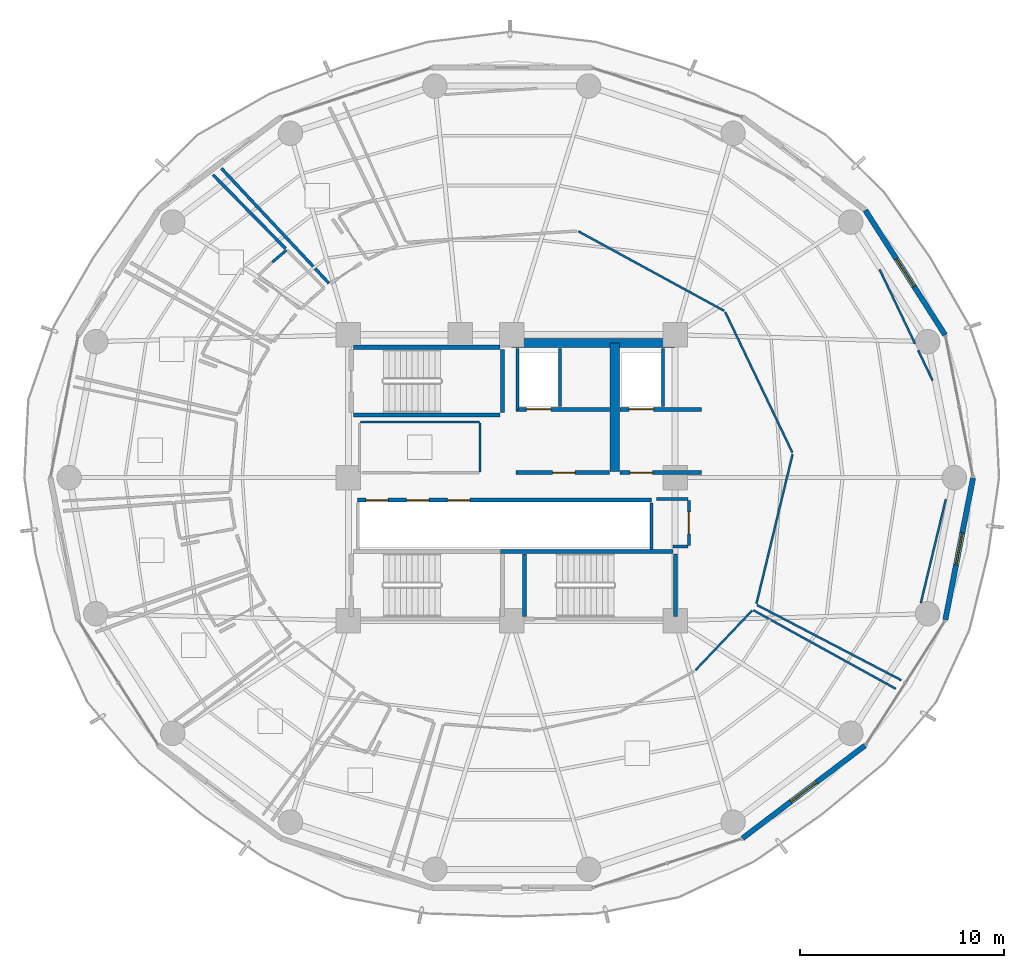
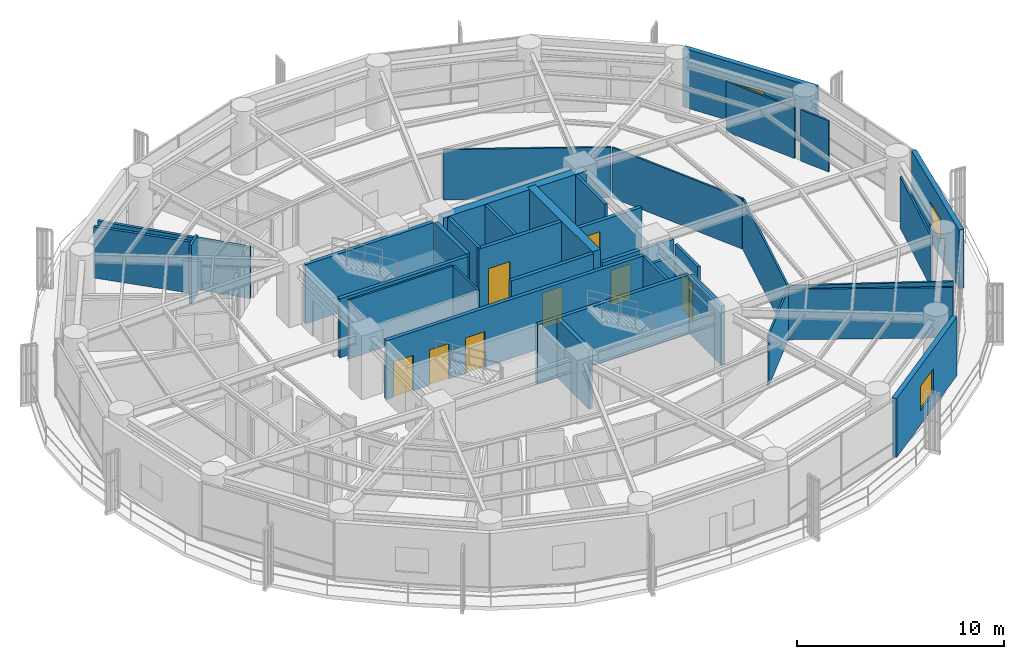
# One storey, part 23 of 28: 37 walls, 8 doors, 3 windows, 11 openings.
"""IFC4 building model written with IfcOpenShell, lengths in metres."""

from ifc_helpers import new_model, si_unit, direction, frame, frame_2d, origin, place, context, subcontext, project, spatial, rectangle, extrude, material, layer, layer_set, type_object, element, fill, save


model = new_model("IFC4")

# Units and contexts
model_context = context("Model", 3, precision=1e-05, world=origin(), true_north=direction((0.0, 1.0)))
body_context = subcontext(model_context, "Body", "Model", "MODEL_VIEW")
ifc_project = project(units=[si_unit("LENGTHUNIT", "METRE"), si_unit("AREAUNIT", "SQUARE_METRE"), si_unit("VOLUMEUNIT", "CUBIC_METRE"), si_unit("PLANEANGLEUNIT", "RADIAN"), si_unit("MASSUNIT", "GRAM", prefix="KILO")], contexts=[model_context])

# Site, building, storey
site_placement = place(None, origin())
site = spatial("IfcSite", under=ifc_project, at=site_placement, CompositionType="ELEMENT")
building_placement = place(site_placement, origin())
building = spatial("IfcBuilding", under=site, at=building_placement, Name="Kelanora Arch Commons", CompositionType="ELEMENT")
storey_placement = place(building_placement, frame((0.0, 0.0, 139.35009765625)))
storey = spatial("IfcBuildingStorey", under=building, at=storey_placement, Name="L35", CompositionType="ELEMENT", Elevation=139.35009765625)

# Walls
ifc_material_1 = material(Name="Autoclaved aerated concrete blockwork with fire plaster", Category="masonry")
ifc_layer_1 = layer(ifc_material_1, 0.14990234375)
ifc_layer_set_1 = layer_set([ifc_layer_1], Name="Autoclaved aerated concrete blockwork with fire plaster")
wall_type_1 = type_object("IfcWallType", Name="W-COMP-150", PredefinedType="PARTITIONING", material=ifc_layer_set_1)
wall_1_placement = place(storey_placement, frame((74.280029296875, 61.35009765625, 0.0), z_axis=(0.0, 0.0, 1.0), x_axis=(0.0, 1.0, 0.0)))
element("IfcWall", 1, at=wall_1_placement, inside=storey, type_object=wall_type_1, Name="Firefighting Lift 1 West Shaft Wall L35", PredefinedType="PARTITIONING", context=body_context, shape_type="SweptSolid", body=[
    extrude(rectangle(XDim=2.969970703125, YDim=0.14990234375, at=frame_2d((1.48486328125, 0.0))), origin(), (0.0, 0.0, 1.0), 3.47998046875),
])
for number, where, z_axis, x_axis, name in (
    (2, (76.360107421875, 61.47998046875, 0.0), (0.0, 0.0, 1.0), (0.0, 1.0, 0.0), "Firefighting Lift 1 East Shaft Wall L35"),
    (3, (81.419921875, 61.47998046875, 0.0), (0.0, 0.0, 1.0), (0.0, 1.0, 0.0), "Firefighting Lift 2 East Shaft Wall L35"),
):
    element("IfcWall", number, at=place(storey_placement, frame(where, z_axis=z_axis, x_axis=x_axis)), inside=storey, type_object=wall_type_1, Name=name, PredefinedType="PARTITIONING", context=body_context, shape_type="SweptSolid", body=[
        extrude(rectangle(XDim=2.840087890625, YDim=0.14990234375, at=frame_2d((1.419921875, 0.0))), origin(), (0.0, 0.0, 1.0), 3.47998046875),
    ])
wall_2_placement = place(storey_placement, frame((80.840087890625, 54.47998046875, 0.0), z_axis=(0.0, 0.0, 1.0), x_axis=(0.0, 1.0, 0.0)))
element("IfcWall", 4, at=wall_2_placement, inside=storey, type_object=wall_type_1, Name="South Lift Bank East Wall L35", PredefinedType="PARTITIONING", context=body_context, shape_type="SweptSolid", body=[
    extrude(rectangle(XDim=2.2900390625, YDim=0.14990234375, at=frame_2d((1.14501953125, 0.0))), origin(), (0.0, 0.0, 1.0), 3.47998046875),
])

# Wall, opening, door
wall_3_placement = place(storey_placement, frame((82.679931640625, 54.679931640625, 0.0), z_axis=(0.0, 0.0, 1.0), x_axis=(0.0, 1.0, 0.0)))
wall_3 = element("IfcWall", 5, at=wall_3_placement, inside=storey, type_object=wall_type_1, Name="Core Housekeeping Store L35 Entry Partition", PredefinedType="PARTITIONING", context=body_context, shape_type="SweptSolid", body=[
    extrude(rectangle(XDim=2.2099609375, YDim=0.14990234375, at=frame_2d((1.10498046875, 0.0))), origin(), (0.0, 0.0, 1.0), 3.47998046875),
])
opening_1_placement = place(wall_3_placement, frame((0.56494140625, 0.0, 0.0)))
opening_1 = element("IfcOpeningElement", 6, at=opening_1_placement, cuts=wall_3, Name="Opening D-PLT1", PredefinedType="OPENING", context=body_context, shape_type="SweptSolid", body=[
    extrude(rectangle(XDim=1.080078125, YDim=2.10009765625, at=frame_2d((0.5400390625, 1.050048828125))), frame((0.0, 0.0849609375, 0.0), z_axis=(0.0, -1.0, 0.0), x_axis=(1.0, 0.0, 0.0)), (0.0, 0.0, 1.0), 0.169921875),
])
ifc_material_2 = material(Name="Galvanised steel plant and riser fire door", Category="steel")
door_type_1 = type_object("IfcDoorType", Name="D-PLT-110", OperationType="NOTDEFINED", PredefinedType="DOOR", material=ifc_material_2)
door_1_placement = place(opening_1_placement, origin())
door_1 = element("IfcDoor", 7, at=door_1_placement, inside=storey, type_object=door_type_1, Name="Core Housekeeping Store L35 Door", OperationType="SINGLE_SWING_LEFT", OverallHeight=2.10009765625, OverallWidth=1.080078125, PredefinedType="DOOR", context=body_context, shape_type="SweptSolid", body=[
    extrude(rectangle(XDim=1.080078125, YDim=2.10009765625, at=frame_2d((0.5400390625, 1.050048828125))), frame((0.0, 0.02490234375, 0.0), z_axis=(0.0, -1.0, 0.0), x_axis=(1.0, 0.0, 0.0)), (0.0, 0.0, 1.0), 0.050048828125),
])
fill(opening_1, door_1)

# Walls
wall_4_placement = place(storey_placement, frame((81.89990234375, 54.6201171875, 0.0), z_axis=(0.0, 0.0, 1.0), x_axis=(1.0, 0.0, 0.0)))
element("IfcWall", 8, at=wall_4_placement, inside=storey, type_object=wall_type_1, Name="Core Housekeeping Store L35 Enclosure Partition 1", PredefinedType="PARTITIONING", context=body_context, shape_type="SweptSolid", body=[
    extrude(rectangle(XDim=0.739990234375, YDim=0.14990234375, at=frame_2d((0.3701171875, 0.0))), origin(), (0.0, 0.0, 1.0), 2.77490234375),
])
wall_5_placement = place(storey_placement, frame((82.639892578125, 56.949951171875, 0.0), z_axis=(0.0, 0.0, 1.0), x_axis=(-1.0, 0.0, 0.0)))
element("IfcWall", 9, at=wall_5_placement, inside=storey, type_object=wall_type_1, Name="Core Housekeeping Store L35 Enclosure Partition 3", PredefinedType="PARTITIONING", context=body_context, shape_type="SweptSolid", body=[
    extrude(rectangle(XDim=1.5498046875, YDim=0.14990234375, at=frame_2d((0.77490234375, 0.0))), origin(), (0.0, 0.0, 1.0), 2.77490234375),
])
wall_6_placement = place(storey_placement, frame((65.045654296875, 67.523193359375, 0.0), z_axis=(0.0, 0.0, 1.0), x_axis=(-0.683295427563, 0.730142012674, 0.0)))
element("IfcWall", 10, at=wall_6_placement, inside=storey, type_object=wall_type_1, Name="Cluster Bedroom L35-01 Enclosure Partition 2", PredefinedType="PARTITIONING", context=body_context, shape_type="SweptSolid", body=[
    extrude(rectangle(XDim=7.712890625, YDim=0.14990234375, at=frame_2d((3.8564453125, 0.0))), origin(), (0.0, 0.0, 1.0), 3.02490234375),
])
wall_7_placement = place(storey_placement, frame((59.368896484375, 72.83740234375, 0.0), z_axis=(0.0, 0.0, 1.0), x_axis=(0.701093902079, -0.713068959125, 0.0)))
element("IfcWall", 11, at=wall_7_placement, inside=storey, type_object=wall_type_1, Name="Cluster Bedroom L35-02 Enclosure Partition 5", PredefinedType="PARTITIONING", context=body_context, shape_type="SweptSolid", body=[
    extrude(rectangle(XDim=5.076416015625, YDim=0.14990234375, at=frame_2d((2.5380859375, 0.0))), origin(), (0.0, 0.0, 1.0), 3.02490234375),
])
ifc_material_3 = material(Name="Concrete C60/75", Category="concrete")
ifc_layer_2 = layer(ifc_material_3, 0.449951171875)
ifc_layer_set_2 = layer_set([ifc_layer_2], Name="Concrete C60/75")
wall_type_2 = type_object("IfcWallType", Name="W-CORE-450", PredefinedType="SHEAR", material=ifc_layer_set_2)
wall_8_placement = place(storey_placement, frame((74.0, 64.60009765625, 0.0), z_axis=(0.0, 0.0, 1.0), x_axis=(1.0, 0.0, 0.0)))
element("IfcWall", 12, at=wall_8_placement, inside=storey, type_object=wall_type_2, Name="Core Shear Spine L35-CN-E", PredefinedType="SHEAR", context=body_context, shape_type="SweptSolid", body=[
    extrude(rectangle(XDim=8.0, YDim=0.449951171875, at=frame_2d((4.0, 0.0))), origin(), (0.0, 0.0, 1.0), 3.489990234375),
])
wall_9_placement = place(storey_placement, frame((79.050048828125, 58.300048828125, 0.0), z_axis=(0.0, 0.0, 1.0), x_axis=(0.0, 1.0, 0.0)))
element("IfcWall", 13, at=wall_9_placement, inside=storey, type_object=wall_type_2, Name="Core Shear Spine L35-CE-N", PredefinedType="SHEAR", context=body_context, shape_type="SweptSolid", body=[
    extrude(rectangle(XDim=6.300048828125, YDim=0.449951171875, at=frame_2d((3.14990234375, 0.0))), origin(), (0.0, 0.0, 1.0), 3.489990234375),
])

# Wall, opening, window
ifc_material_4 = material(Name="Precast concrete C40/50 with terracotta rainscreen", Category="masonry")
ifc_layer_3 = layer(ifc_material_4, 0.260009765625)
ifc_layer_set_3 = layer_set([ifc_layer_3], Name="Precast concrete C40/50 with terracotta rainscreen")
wall_type_3 = type_object("IfcWallType", Name="W-EXT-TC", PredefinedType="SOLIDWALL", material=ifc_layer_set_3)
wall_10_placement = place(storey_placement, frame((95.22900390625, 64.98974609375, 0.0), z_axis=(0.0, 0.0, 1.0), x_axis=(-0.538801521808, 0.842432739213, 0.0)))
wall_10 = element("IfcWall", 14, at=wall_10_placement, inside=storey, type_object=wall_type_3, Name="Terracotta Exterior Wall L35-B01", PredefinedType="SOLIDWALL", context=body_context, shape_type="SweptSolid", body=[
    extrude(rectangle(XDim=7.25341796875, YDim=0.260009765625, at=frame_2d((3.626708984375, 0.0))), origin(), (0.0, 0.0, 1.0), 3.474853515625),
])
opening_2_placement = place(wall_10_placement, frame((2.826904296875, 0.0, 0.85009765625)))
opening_2 = element("IfcOpeningElement", 15, at=opening_2_placement, cuts=wall_10, Name="Opening WN-01", PredefinedType="OPENING", context=body_context, shape_type="SweptSolid", body=[
    extrude(rectangle(XDim=1.60009765625, YDim=1.449951171875, at=frame_2d((0.800048828125, 0.72509765625))), frame((0.0, 0.14013671875, 0.0), z_axis=(0.0, -1.0, 0.0), x_axis=(1.0, 0.0, 0.0)), (0.0, 0.0, 1.0), 0.280029296875),
])
ifc_material_5 = material(Name="Terracotta-anodised aluminium frame with operable low-E glazing", Category="masonry")
window_type = type_object("IfcWindowType", Name="WIN-CL-18", PartitioningType="DOUBLE_PANEL_VERTICAL", PredefinedType="WINDOW", material=ifc_material_5)
window_1_placement = place(opening_2_placement, origin())
window_1 = element("IfcWindow", 16, at=window_1_placement, inside=storey, type_object=window_type, Name="Co-Living Operable Window L35-B01", OverallHeight=1.449951171875, OverallWidth=1.60009765625, PartitioningType="SINGLE_PANEL", PredefinedType="WINDOW", context=body_context, shape_type="SweptSolid", body=[
    extrude(rectangle(XDim=1.60009765625, YDim=1.449951171875, at=frame_2d((0.800048828125, 0.72509765625))), frame((0.0, 0.030029296875, 0.0), z_axis=(0.0, -1.0, 0.0), x_axis=(1.0, 0.0, 0.0)), (0.0, 0.0, 1.0), 0.06005859375),
])
fill(opening_2, window_1)

wall_11_placement = place(storey_placement, frame((85.31201171875, 40.34228515625, 0.0), z_axis=(0.0, 0.0, 1.0), x_axis=(0.797163719609, 0.603763202042, 0.0)))
wall_11 = element("IfcWall", 17, at=wall_11_placement, inside=storey, type_object=wall_type_3, Name="Terracotta Exterior Wall L35-B15", PredefinedType="SOLIDWALL", context=body_context, shape_type="SweptSolid", body=[
    extrude(rectangle(XDim=7.51220703125, YDim=0.260009765625, at=frame_2d((3.756103515625, 0.0))), origin(), (0.0, 0.0, 1.0), 3.474853515625),
])
opening_3_placement = place(wall_11_placement, frame((2.9560546875, 0.0, 0.85009765625)))
opening_3 = element("IfcOpeningElement", 18, at=opening_3_placement, cuts=wall_11, Name="Opening WN-01", PredefinedType="OPENING", context=body_context, shape_type="SweptSolid", body=[
    extrude(rectangle(XDim=1.60009765625, YDim=1.449951171875, at=frame_2d((0.800048828125, 0.72509765625))), frame((0.0, 0.14013671875, 0.0), z_axis=(0.0, -1.0, 0.0), x_axis=(1.0, 0.0, 0.0)), (0.0, 0.0, 1.0), 0.280029296875),
])
window_2_placement = place(opening_3_placement, origin())
window_2 = element("IfcWindow", 19, at=window_2_placement, inside=storey, type_object=window_type, Name="Co-Living Operable Window L35-B15", OverallHeight=1.449951171875, OverallWidth=1.60009765625, PartitioningType="SINGLE_PANEL", PredefinedType="WINDOW", context=body_context, shape_type="SweptSolid", body=[
    extrude(rectangle(XDim=1.60009765625, YDim=1.449951171875, at=frame_2d((0.800048828125, 0.72509765625))), frame((0.0, 0.030029296875, 0.0), z_axis=(0.0, -1.0, 0.0), x_axis=(1.0, 0.0, 0.0)), (0.0, 0.0, 1.0), 0.06005859375),
])
fill(opening_3, window_2)

wall_12_placement = place(storey_placement, frame((95.239990234375, 51.03759765625, 0.0), z_axis=(0.0, 0.0, 1.0), x_axis=(0.191716984769, 0.981450252306, 0.0)))
wall_12 = element("IfcWall", 20, at=wall_12_placement, inside=storey, type_object=wall_type_3, Name="Terracotta Exterior Wall L35-B17", PredefinedType="SOLIDWALL", context=body_context, shape_type="SweptSolid", body=[
    extrude(rectangle(XDim=7.0791015625, YDim=0.260009765625, at=frame_2d((3.53955078125, 0.0))), origin(), (0.0, 0.0, 1.0), 3.474853515625),
])
opening_4_placement = place(wall_12_placement, frame((2.739990234375, 0.0, 0.85009765625)))
opening_4 = element("IfcOpeningElement", 21, at=opening_4_placement, cuts=wall_12, Name="Opening WN-01", PredefinedType="OPENING", context=body_context, shape_type="SweptSolid", body=[
    extrude(rectangle(XDim=1.60009765625, YDim=1.449951171875, at=frame_2d((0.800048828125, 0.72509765625))), frame((0.0, 0.14013671875, 0.0), z_axis=(0.0, -1.0, 0.0), x_axis=(1.0, 0.0, 0.0)), (0.0, 0.0, 1.0), 0.280029296875),
])
window_3_placement = place(opening_4_placement, origin())
window_3 = element("IfcWindow", 22, at=window_3_placement, inside=storey, type_object=window_type, Name="Co-Living Operable Window L35-B17", OverallHeight=1.449951171875, OverallWidth=1.60009765625, PartitioningType="SINGLE_PANEL", PredefinedType="WINDOW", context=body_context, shape_type="SweptSolid", body=[
    extrude(rectangle(XDim=1.60009765625, YDim=1.449951171875, at=frame_2d((0.800048828125, 0.72509765625))), frame((0.0, 0.030029296875, 0.0), z_axis=(0.0, -1.0, 0.0), x_axis=(1.0, 0.0, 0.0)), (0.0, 0.0, 1.0), 0.06005859375),
])
fill(opening_4, window_3)

# Wall, opening, door
ifc_material_6 = material(Name="Concrete C40/50", Category="concrete")
ifc_layer_4 = layer(ifc_material_6, 0.199951171875)
ifc_layer_set_4 = layer_set([ifc_layer_4], Name="Concrete C40/50")
wall_type_4 = type_object("IfcWallType", Name="W-FFL-200", PredefinedType="SOLIDWALL", material=ifc_layer_set_4)
wall_13_placement = place(storey_placement, frame((74.199951171875, 61.35009765625, 0.0), z_axis=(0.0, 0.0, 1.0), x_axis=(1.0, 0.0, 0.0)))
wall_13 = element("IfcWall", 23, at=wall_13_placement, inside=storey, type_object=wall_type_4, Name="Firefighting Lift 1 Shaft Front L35", PredefinedType="SOLIDWALL", context=body_context, shape_type="SweptSolid", body=[
    extrude(rectangle(XDim=4.60009765625, YDim=0.199951171875, at=frame_2d((2.300048828125, 0.0))), origin(), (0.0, 0.0, 1.0), 3.47998046875),
])
opening_5_placement = place(wall_13_placement, frame((0.52001953125, 0.0, 0.0)))
opening_5 = element("IfcOpeningElement", 24, at=opening_5_placement, cuts=wall_13, Name="Opening LD-FF", PredefinedType="OPENING", context=body_context, shape_type="SweptSolid", body=[
    extrude(rectangle(XDim=1.199951171875, YDim=2.14990234375, at=frame_2d((0.60009765625, 1.074951171875))), frame((0.0, 0.10986328125, 0.0), z_axis=(0.0, -1.0, 0.0), x_axis=(1.0, 0.0, 0.0)), (0.0, 0.0, 1.0), 0.219970703125),
])
ifc_material_7 = material(Name="Fire-rated firefighters lift sliding landing door")
door_type_2 = type_object("IfcDoorType", Name="D-LIFT-FF", OperationType="NOTDEFINED", PredefinedType="DOOR", material=ifc_material_7)
door_2_placement = place(opening_5_placement, origin())
door_2 = element("IfcDoor", 25, at=door_2_placement, inside=storey, type_object=door_type_2, Name="Firefighting Lift LF-FF1 Landing Door L35", OperationType="DOUBLE_DOOR_SLIDING", OverallHeight=2.14990234375, OverallWidth=1.199951171875, PredefinedType="DOOR", context=body_context, shape_type="SweptSolid", body=[
    extrude(rectangle(XDim=1.199951171875, YDim=2.14990234375, at=frame_2d((0.60009765625, 1.074951171875))), frame((0.0, 0.02490234375, 0.0), z_axis=(0.0, -1.0, 0.0), x_axis=(1.0, 0.0, 0.0)), (0.0, 0.0, 1.0), 0.050048828125),
])
fill(opening_5, door_2)

wall_14_placement = place(storey_placement, frame((79.300048828125, 61.35009765625, 0.0), z_axis=(0.0, 0.0, 1.0), x_axis=(1.0, 0.0, 0.0)))
wall_14 = element("IfcWall", 26, at=wall_14_placement, inside=storey, type_object=wall_type_4, Name="Firefighting Lift 2 Shaft Front L35", PredefinedType="SOLIDWALL", context=body_context, shape_type="SweptSolid", body=[
    extrude(rectangle(XDim=4.0, YDim=0.199951171875, at=frame_2d((2.0, 0.0))), origin(), (0.0, 0.0, 1.0), 2.77490234375),
])
opening_6_placement = place(wall_14_placement, frame((0.449951171875, 0.0, 0.0)))
opening_6 = element("IfcOpeningElement", 27, at=opening_6_placement, cuts=wall_14, Name="Opening LD-FF", PredefinedType="OPENING", context=body_context, shape_type="SweptSolid", body=[
    extrude(rectangle(XDim=1.199951171875, YDim=2.14990234375, at=frame_2d((0.60009765625, 1.074951171875))), frame((0.0, 0.10986328125, 0.0), z_axis=(0.0, -1.0, 0.0), x_axis=(1.0, 0.0, 0.0)), (0.0, 0.0, 1.0), 0.219970703125),
])
door_3_placement = place(opening_6_placement, origin())
door_3 = element("IfcDoor", 28, at=door_3_placement, inside=storey, type_object=door_type_2, Name="Firefighting Lift LF-FF2 Landing Door L35", OperationType="DOUBLE_DOOR_SLIDING", OverallHeight=2.14990234375, OverallWidth=1.199951171875, PredefinedType="DOOR", context=body_context, shape_type="SweptSolid", body=[
    extrude(rectangle(XDim=1.199951171875, YDim=2.14990234375, at=frame_2d((0.60009765625, 1.074951171875))), frame((0.0, 0.02490234375, 0.0), z_axis=(0.0, -1.0, 0.0), x_axis=(1.0, 0.0, 0.0)), (0.0, 0.0, 1.0), 0.050048828125),
])
fill(opening_6, door_3)

wall_15_placement = place(storey_placement, frame((74.199951171875, 58.25, 0.0), z_axis=(0.0, 0.0, 1.0), x_axis=(1.0, 0.0, 0.0)))
wall_15 = element("IfcWall", 29, at=wall_15_placement, inside=storey, type_object=wall_type_4, Name="Firefighting Lobby 1 Enclosure Wall L35", PredefinedType="SOLIDWALL", context=body_context, shape_type="SweptSolid", body=[
    extrude(rectangle(XDim=4.60009765625, YDim=0.199951171875, at=frame_2d((2.300048828125, 0.0))), origin(), (0.0, 0.0, 1.0), 3.47998046875),
])
opening_7_placement = place(wall_15_placement, frame((1.800048828125, 0.0, 0.0)))
opening_7 = element("IfcOpeningElement", 30, at=opening_7_placement, cuts=wall_15, Name="Opening D-FFL1", PredefinedType="OPENING", context=body_context, shape_type="SweptSolid", body=[
    extrude(rectangle(XDim=1.10009765625, YDim=2.10009765625, at=frame_2d((0.550048828125, 1.050048828125))), frame((0.0, 0.10986328125, 0.0), z_axis=(0.0, -1.0, 0.0), x_axis=(1.0, 0.0, 0.0)), (0.0, 0.0, 1.0), 0.219970703125),
])
ifc_material_8 = material(Name="Smoke-sealed firefighting lobby fire door")
door_type_3 = type_object("IfcDoorType", Name="D-FFL-110", OperationType="NOTDEFINED", PredefinedType="DOOR", material=ifc_material_8)
door_4_placement = place(opening_7_placement, frame((1.10009765625, 0.0, 0.0), z_axis=(0.0, 0.0, 1.0), x_axis=(-1.0, 0.0, 0.0)))
door_4 = element("IfcDoor", 31, at=door_4_placement, inside=storey, type_object=door_type_3, Name="Firefighting Lobby 1 Door L35", OperationType="SINGLE_SWING_LEFT", OverallHeight=2.10009765625, OverallWidth=1.10009765625, PredefinedType="DOOR", context=body_context, shape_type="SweptSolid", body=[
    extrude(rectangle(XDim=1.10009765625, YDim=2.10009765625, at=frame_2d((0.550048828125, 1.050048828125))), frame((0.0, 0.02490234375, 0.0), z_axis=(0.0, -1.0, 0.0), x_axis=(1.0, 0.0, 0.0)), (0.0, 0.0, 1.0), 0.050048828125),
])
fill(opening_7, door_4)

wall_16_placement = place(storey_placement, frame((79.300048828125, 58.25, 0.0), z_axis=(0.0, 0.0, 1.0), x_axis=(1.0, 0.0, 0.0)))
wall_16 = element("IfcWall", 32, at=wall_16_placement, inside=storey, type_object=wall_type_4, Name="Firefighting Lobby 2 Enclosure Wall L35", PredefinedType="SOLIDWALL", context=body_context, shape_type="SweptSolid", body=[
    extrude(rectangle(XDim=4.0, YDim=0.199951171875, at=frame_2d((2.0, 0.0))), origin(), (0.0, 0.0, 1.0), 2.77490234375),
])
opening_8_placement = place(wall_16_placement, frame((0.5, 0.0, 0.0)))
opening_8 = element("IfcOpeningElement", 33, at=opening_8_placement, cuts=wall_16, Name="Opening D-FFL1", PredefinedType="OPENING", context=body_context, shape_type="SweptSolid", body=[
    extrude(rectangle(XDim=1.10009765625, YDim=2.10009765625, at=frame_2d((0.550048828125, 1.050048828125))), frame((0.0, 0.10986328125, 0.0), z_axis=(0.0, -1.0, 0.0), x_axis=(1.0, 0.0, 0.0)), (0.0, 0.0, 1.0), 0.219970703125),
])
door_5_placement = place(opening_8_placement, frame((1.10009765625, 0.0, 0.0), z_axis=(0.0, 0.0, 1.0), x_axis=(-1.0, 0.0, 0.0)))
door_5 = element("IfcDoor", 34, at=door_5_placement, inside=storey, type_object=door_type_3, Name="Firefighting Lobby 2 Door L35", OperationType="SINGLE_SWING_RIGHT", OverallHeight=2.10009765625, OverallWidth=1.10009765625, PredefinedType="DOOR", context=body_context, shape_type="SweptSolid", body=[
    extrude(rectangle(XDim=1.10009765625, YDim=2.10009765625, at=frame_2d((0.550048828125, 1.050048828125))), frame((0.0, 0.02490234375, 0.0), z_axis=(0.0, -1.0, 0.0), x_axis=(1.0, 0.0, 0.0)), (0.0, 0.0, 1.0), 0.050048828125),
])
fill(opening_8, door_5)

# Wall, openings, doors
wall_17_placement = place(storey_placement, frame((66.449951171875, 56.89990234375, 0.0), z_axis=(0.0, 0.0, 1.0), x_axis=(1.0, 0.0, 0.0)))
wall_17 = element("IfcWall", 35, at=wall_17_placement, inside=storey, type_object=wall_type_4, Name="Mid/High/Express Lift Shaft Front L35", PredefinedType="SOLIDWALL", context=body_context, shape_type="SweptSolid", body=[
    extrude(rectangle(XDim=14.400146484375, YDim=0.199951171875, at=frame_2d((7.2001953125, 0.0))), origin(), (0.0, 0.0, 1.0), 3.47998046875),
])
opening_9_placement = place(wall_17_placement, frame((0.39990234375, 0.0, 0.0)))
opening_9 = element("IfcOpeningElement", 36, at=opening_9_placement, cuts=wall_17, Name="Opening LD-01", PredefinedType="OPENING", context=body_context, shape_type="SweptSolid", body=[
    extrude(rectangle(XDim=1.10009765625, YDim=2.10009765625, at=frame_2d((0.550048828125, 1.050048828125))), frame((0.0, 0.10986328125, 0.0), z_axis=(0.0, -1.0, 0.0), x_axis=(1.0, 0.0, 0.0)), (0.0, 0.0, 1.0), 0.219970703125),
])
opening_10_placement = place(wall_17_placement, frame((2.39990234375, 0.0, 0.0)))
opening_10 = element("IfcOpeningElement", 37, at=opening_10_placement, cuts=wall_17, Name="Opening LD-01", PredefinedType="OPENING", context=body_context, shape_type="SweptSolid", body=[
    extrude(rectangle(XDim=1.10009765625, YDim=2.10009765625, at=frame_2d((0.550048828125, 1.050048828125))), frame((0.0, 0.10986328125, 0.0), z_axis=(0.0, -1.0, 0.0), x_axis=(1.0, 0.0, 0.0)), (0.0, 0.0, 1.0), 0.219970703125),
])
opening_11_placement = place(wall_17_placement, frame((4.39990234375, 0.0, 0.0)))
opening_11 = element("IfcOpeningElement", 38, at=opening_11_placement, cuts=wall_17, Name="Opening LD-01", PredefinedType="OPENING", context=body_context, shape_type="SweptSolid", body=[
    extrude(rectangle(XDim=1.10009765625, YDim=2.10009765625, at=frame_2d((0.550048828125, 1.050048828125))), frame((0.0, 0.10986328125, 0.0), z_axis=(0.0, -1.0, 0.0), x_axis=(1.0, 0.0, 0.0)), (0.0, 0.0, 1.0), 0.219970703125),
])
ifc_material_9 = material(Name="Stainless steel passenger lift sliding landing door", Category="steel")
door_type_4 = type_object("IfcDoorType", Name="D-LIFT-110", OperationType="NOTDEFINED", PredefinedType="DOOR", material=ifc_material_9)
door_6_placement = place(opening_9_placement, origin())
door_6 = element("IfcDoor", 39, at=door_6_placement, inside=storey, type_object=door_type_4, Name="Passenger Lift LF-P4 Landing Door L35", OperationType="DOUBLE_DOOR_SLIDING", OverallHeight=2.10009765625, OverallWidth=1.10009765625, PredefinedType="DOOR", context=body_context, shape_type="SweptSolid", body=[
    extrude(rectangle(XDim=1.10009765625, YDim=2.10009765625, at=frame_2d((0.550048828125, 1.050048828125))), frame((0.0, 0.02490234375, 0.0), z_axis=(0.0, -1.0, 0.0), x_axis=(1.0, 0.0, 0.0)), (0.0, 0.0, 1.0), 0.050048828125),
])
fill(opening_9, door_6)
door_7_placement = place(opening_10_placement, origin())
door_7 = element("IfcDoor", 40, at=door_7_placement, inside=storey, type_object=door_type_4, Name="Passenger Lift LF-P5 Landing Door L35", OperationType="DOUBLE_DOOR_SLIDING", OverallHeight=2.10009765625, OverallWidth=1.10009765625, PredefinedType="DOOR", context=body_context, shape_type="SweptSolid", body=[
    extrude(rectangle(XDim=1.10009765625, YDim=2.10009765625, at=frame_2d((0.550048828125, 1.050048828125))), frame((0.0, 0.02490234375, 0.0), z_axis=(0.0, -1.0, 0.0), x_axis=(1.0, 0.0, 0.0)), (0.0, 0.0, 1.0), 0.050048828125),
])
fill(opening_10, door_7)
door_8_placement = place(opening_11_placement, origin())
door_8 = element("IfcDoor", 41, at=door_8_placement, inside=storey, type_object=door_type_4, Name="Passenger Lift LF-P6 Landing Door L35", OperationType="DOUBLE_DOOR_SLIDING", OverallHeight=2.10009765625, OverallWidth=1.10009765625, PredefinedType="DOOR", context=body_context, shape_type="SweptSolid", body=[
    extrude(rectangle(XDim=1.10009765625, YDim=2.10009765625, at=frame_2d((0.550048828125, 1.050048828125))), frame((0.0, 0.02490234375, 0.0), z_axis=(0.0, -1.0, 0.0), x_axis=(1.0, 0.0, 0.0)), (0.0, 0.0, 1.0), 0.050048828125),
])
fill(opening_11, door_8)

# Walls
ifc_material_10 = material(Name="Lightweight fire-rated acoustic stud partition")
ifc_layer_5 = layer(ifc_material_10, 0.10009765625)
ifc_layer_set_5 = layer_set([ifc_layer_5], Name="Lightweight fire-rated acoustic stud partition")
wall_type_5 = type_object("IfcWallType", Name="W-PART-100", PredefinedType="PARTITIONING", material=ifc_layer_set_5)
wall_18_placement = place(storey_placement, frame((72.449951171875, 58.2900390625, 0.0), z_axis=(0.0, 0.0, 1.0), x_axis=(0.0, 1.0, 0.0)))
element("IfcWall", 42, at=wall_18_placement, inside=storey, type_object=wall_type_5, Name="Reclaimed Core Study Pod Lounge L35 Enclosure Partition 2", PredefinedType="PARTITIONING", context=body_context, shape_type="SweptSolid", body=[
    extrude(rectangle(XDim=2.389892578125, YDim=0.10009765625, at=frame_2d((1.19482421875, 0.0))), origin(), (0.0, 0.0, 1.0), 3.47998046875),
])
wall_19_placement = place(storey_placement, frame((72.409912109375, 60.719970703125, 0.0), z_axis=(0.0, 0.0, 1.0), x_axis=(-1.0, 0.0, 0.0)))
element("IfcWall", 43, at=wall_19_placement, inside=storey, type_object=wall_type_5, Name="Reclaimed Core Study Pod Lounge L35 Enclosure Partition 3", PredefinedType="PARTITIONING", context=body_context, shape_type="SweptSolid", body=[
    extrude(rectangle(XDim=5.81982421875, YDim=0.10009765625, at=frame_2d((2.909912109375, 0.0))), origin(), (0.0, 0.0, 1.0), 3.47998046875),
])
wall_20_placement = place(storey_placement, frame((83.00048828125, 48.570068359375, 0.0), z_axis=(0.0, 0.0, 1.0), x_axis=(0.688528308603, 0.725209465088, 0.0)))
element("IfcWall", 44, at=wall_20_placement, inside=storey, type_object=wall_type_5, Name="South-East Social Sky Lounge L35 Enclosure Partition 4", PredefinedType="PARTITIONING", context=body_context, shape_type="SweptSolid", body=[
    extrude(rectangle(XDim=4.033447265625, YDim=0.10009765625, at=frame_2d((2.0166015625, 0.0))), origin(), (0.0, 0.0, 1.0), 2.974853515625),
])
wall_21_placement = place(storey_placement, frame((85.840087890625, 51.504638671875, 0.0), z_axis=(0.0, 0.0, 1.0), x_axis=(0.875725262543, -0.482809760199, 0.0)))
element("IfcWall", 45, at=wall_21_placement, inside=storey, type_object=wall_type_5, Name="South-East Social Sky Lounge L35 Enclosure Partition 5", PredefinedType="PARTITIONING", context=body_context, shape_type="SweptSolid", body=[
    extrude(rectangle(XDim=7.960205078125, YDim=0.10009765625, at=frame_2d((3.97998046875, 0.0))), origin(), (0.0, 0.0, 1.0), 2.974853515625),
])
wall_22_placement = place(storey_placement, frame((85.986328125, 51.823974609375, 0.0), z_axis=(0.0, 0.0, 1.0), x_axis=(0.234816749424, 0.972039656696, 0.0)))
element("IfcWall", 46, at=wall_22_placement, inside=storey, type_object=wall_type_5, Name="North-East Quiet Study Commons L35 Enclosure Partition 1", PredefinedType="PARTITIONING", context=body_context, shape_type="SweptSolid", body=[
    extrude(rectangle(XDim=7.538818359375, YDim=0.10009765625, at=frame_2d((3.76953125, 0.0))), origin(), (0.0, 0.0, 1.0), 2.974853515625),
])
wall_23_placement = place(storey_placement, frame((87.748779296875, 59.22705078125, 0.0), z_axis=(0.0, 0.0, 1.0), x_axis=(-0.431199882011, 0.902256427937, 0.0)))
element("IfcWall", 47, at=wall_23_placement, inside=storey, type_object=wall_type_5, Name="North-East Quiet Study Commons L35 Enclosure Partition 2", PredefinedType="PARTITIONING", context=body_context, shape_type="SweptSolid", body=[
    extrude(rectangle(XDim=7.638427734375, YDim=0.10009765625, at=frame_2d((3.8193359375, 0.0))), origin(), (0.0, 0.0, 1.0), 2.974853515625),
])
wall_24_placement = place(storey_placement, frame((84.40283203125, 66.17431640625, 0.0), z_axis=(0.0, 0.0, 1.0), x_axis=(-0.877909341639, 0.478826887156, 0.0)))
element("IfcWall", 48, at=wall_24_placement, inside=storey, type_object=wall_type_5, Name="North-East Quiet Study Commons L35 Enclosure Partition 3", PredefinedType="PARTITIONING", context=body_context, shape_type="SweptSolid", body=[
    extrude(rectangle(XDim=8.13134765625, YDim=0.10009765625, at=frame_2d((4.065673828125, 0.0))), origin(), (0.0, 0.0, 1.0), 2.974853515625),
])
wall_25_placement = place(storey_placement, frame((92.019287109375, 68.201416015625, 0.0), z_axis=(0.0, 0.0, 1.0), x_axis=(0.430690351596, -0.90249976235, 0.0)))
element("IfcWall", 49, at=wall_25_placement, inside=storey, type_object=wall_type_5, Name="North-East Quiet Study Commons L35 Enclosure Partition 8", PredefinedType="PARTITIONING", context=body_context, shape_type="SweptSolid", body=[
    extrude(rectangle(XDim=4.031494140625, YDim=0.10009765625, at=frame_2d((2.015625, 0.0))), origin(), (0.0, 0.0, 1.0), 2.974853515625),
])
wall_26_placement = place(storey_placement, frame((93.90673828125, 64.24560546875, 0.0), z_axis=(0.0, 0.0, 1.0), x_axis=(0.430638623677, -0.902524446094, 0.0)))
element("IfcWall", 50, at=wall_26_placement, inside=storey, type_object=wall_type_5, Name="North-East Quiet Study Commons L35 Enclosure Partition 8", PredefinedType="PARTITIONING", context=body_context, shape_type="SweptSolid", body=[
    extrude(rectangle(XDim=1.6396484375, YDim=0.10009765625, at=frame_2d((0.81982421875, 0.0))), origin(), (0.0, 0.0, 1.0), 3.02490234375),
])
wall_27_placement = place(storey_placement, frame((95.264404296875, 56.94482421875, 0.0), z_axis=(0.0, 0.0, 1.0), x_axis=(-0.234422763118, -0.97213474793, 0.0)))
element("IfcWall", 51, at=wall_27_placement, inside=storey, type_object=wall_type_5, Name="North-East Quiet Study Commons L35 Enclosure Partition 9", PredefinedType="PARTITIONING", context=body_context, shape_type="SweptSolid", body=[
    extrude(rectangle(XDim=5.223876953125, YDim=0.10009765625, at=frame_2d((2.61181640625, 0.0))), origin(), (0.0, 0.0, 1.0), 3.02490234375),
])
wall_28_placement = place(storey_placement, frame((93.08642578125, 48.07861328125, 0.0), z_axis=(0.0, 0.0, 1.0), x_axis=(-0.886727770337, 0.462291965443, 0.0)))
element("IfcWall", 52, at=wall_28_placement, inside=storey, type_object=wall_type_5, Name="North-East Quiet Study Commons L35 Enclosure Partition 10", PredefinedType="PARTITIONING", context=body_context, shape_type="SweptSolid", body=[
    extrude(rectangle(XDim=7.9775390625, YDim=0.10009765625, at=frame_2d((3.98876953125, 0.0))), origin(), (0.0, 0.0, 1.0), 2.974853515625),
])
ifc_layer_6 = layer(ifc_material_6, 0.199951171875)
ifc_layer_set_6 = layer_set([ifc_layer_6], Name="Concrete C40/50")
wall_type_6 = type_object("IfcWallType", Name="W-STAIR-200", PredefinedType="SHEAR", material=ifc_layer_set_6)
wall_29_placement = place(storey_placement, frame((66.260009765625, 61.080078125, 0.0), z_axis=(0.0, 0.0, 1.0), x_axis=(1.0, 0.0, 0.0)))
element("IfcWall", 53, at=wall_29_placement, inside=storey, type_object=wall_type_6, Name="Stair ST-T1 Shaft Wall S L35", PredefinedType="SHEAR", context=body_context, shape_type="SweptSolid", body=[
    extrude(rectangle(XDim=7.159912109375, YDim=0.199951171875, at=frame_2d((3.580078125, 0.0))), origin(), (0.0, 0.0, 1.0), 3.489990234375),
])
wall_30_placement = place(storey_placement, frame((73.5400390625, 61.199951171875, 0.0), z_axis=(0.0, 0.0, 1.0), x_axis=(0.0, 1.0, 0.0)))
element("IfcWall", 54, at=wall_30_placement, inside=storey, type_object=wall_type_6, Name="Stair ST-T1 Shaft Wall E L35", PredefinedType="SHEAR", context=body_context, shape_type="SweptSolid", body=[
    extrude(rectangle(XDim=3.070068359375, YDim=0.199951171875, at=frame_2d((1.53515625, 0.0))), origin(), (0.0, 0.0, 1.0), 3.489990234375),
])
wall_31_placement = place(storey_placement, frame((73.419921875, 64.389892578125, 0.0), z_axis=(0.0, 0.0, 1.0), x_axis=(-1.0, 0.0, 0.0)))
element("IfcWall", 55, at=wall_31_placement, inside=storey, type_object=wall_type_6, Name="Stair ST-T1 Shaft Wall N L35", PredefinedType="SHEAR", context=body_context, shape_type="SweptSolid", body=[
    extrude(rectangle(XDim=7.159912109375, YDim=0.199951171875, at=frame_2d((3.580078125, 0.0))), origin(), (0.0, 0.0, 1.0), 3.489990234375),
])
wall_32_placement = place(storey_placement, frame((82.02001953125, 51.199951171875, 0.0), z_axis=(0.0, 0.0, 1.0), x_axis=(0.0, 1.0, 0.0)))
element("IfcWall", 56, at=wall_32_placement, inside=storey, type_object=wall_type_6, Name="Stair ST-T2 Shaft Wall E L35", PredefinedType="SHEAR", context=body_context, shape_type="SweptSolid", body=[
    extrude(rectangle(XDim=3.070068359375, YDim=0.199951171875, at=frame_2d((1.53515625, 0.0))), origin(), (0.0, 0.0, 1.0), 3.489990234375),
])
wall_33_placement = place(storey_placement, frame((81.89990234375, 54.389892578125, 0.0), z_axis=(0.0, 0.0, 1.0), x_axis=(-1.0, 0.0, 0.0)))
element("IfcWall", 57, at=wall_33_placement, inside=storey, type_object=wall_type_6, Name="Stair ST-T2 Shaft Wall N L35", PredefinedType="SHEAR", context=body_context, shape_type="SweptSolid", body=[
    extrude(rectangle(XDim=8.4599609375, YDim=0.199951171875, at=frame_2d((4.22998046875, 0.0))), origin(), (0.0, 0.0, 1.0), 3.489990234375),
])
wall_34_placement = place(storey_placement, frame((74.6201171875, 54.27001953125, 0.0), z_axis=(0.0, 0.0, 1.0), x_axis=(0.0, -1.0, 0.0)))
element("IfcWall", 58, at=wall_34_placement, inside=storey, type_object=wall_type_6, Name="Stair ST-T2 Shaft Wall W L35", PredefinedType="SHEAR", context=body_context, shape_type="SweptSolid", body=[
    extrude(rectangle(XDim=3.070068359375, YDim=0.199951171875, at=frame_2d((1.53515625, 0.0))), origin(), (0.0, 0.0, 1.0), 3.489990234375),
])
ifc_material_11 = material(Name="Moisture-resistant fire-rated cement-board plumbing wall")
ifc_layer_7 = layer(ifc_material_11, 0.1298828125)
ifc_layer_set_7 = layer_set([ifc_layer_7], Name="Moisture-resistant fire-rated cement-board plumbing wall")
wall_type_7 = type_object("IfcWallType", Name="W-WET-120", PredefinedType="PLUMBINGWALL", material=ifc_layer_set_7)
wall_35_placement = place(storey_placement, frame((62.273193359375, 68.558837890625, 0.0), z_axis=(0.0, 0.0, 1.0), x_axis=(0.763243602663, 0.646110828724, 0.0)))
element("IfcWall", 59, at=wall_35_placement, inside=storey, type_object=wall_type_7, Name="En-Suite Shower WC L35-02 Enclosure Partition 5", PredefinedType="PLUMBINGWALL", context=body_context, shape_type="SweptSolid", body=[
    extrude(rectangle(XDim=0.90869140625, YDim=0.1298828125, at=frame_2d((0.454345703125, 0.0))), origin(), (0.0, 0.0, 1.0), 3.47998046875),
])

save(model, "model.ifc")
